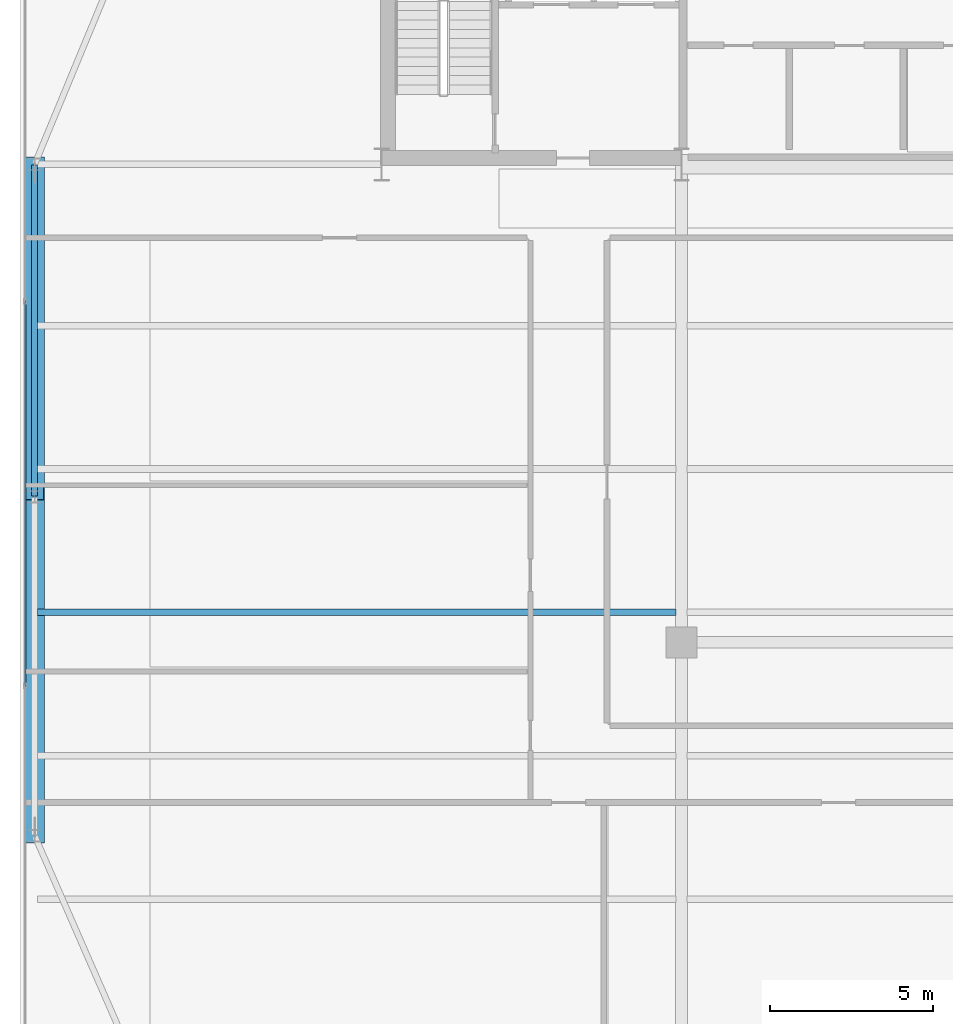
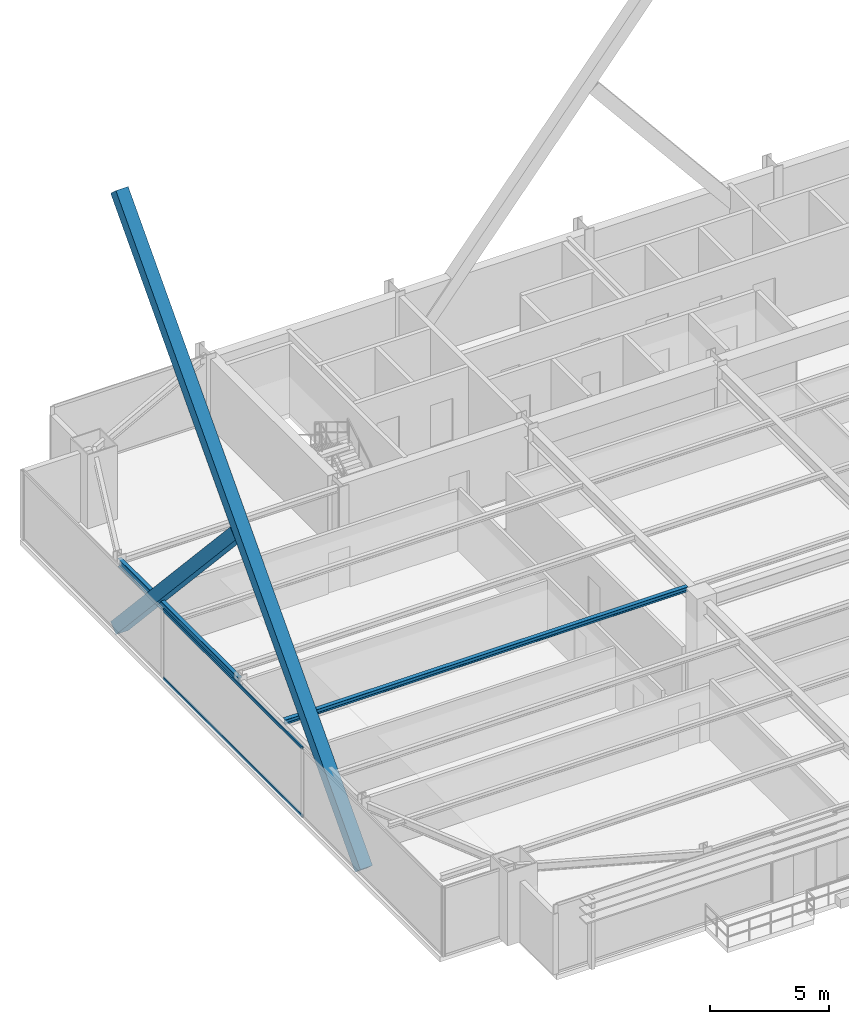
# One storey, part 11 of 38: 4 members, 2 beams, 1 element without a shape of its own.
"""IFC4 building model written with IfcOpenShell, lengths in metres."""

import ifcopenshell
import ifcopenshell.guid

model = None  # the IFC model being written
_history = None  # IfcOwnerHistory: only IFC2X3 demands one
_inside = {}  # id of a spatial element -> (the spatial element, [elements in it])
_under = {}  # id of a project, library or spatial element -> (it, [spatial elements below it])
_declared = {}  # id of a project -> (the project, [libraries it declares])
_typed = {}  # id of a type object -> (the type object, [elements of that type])
_made_of = {}  # id of a material, layer set ... -> (it, [elements and type objects made of it])


def new_model(schema):
    """Start an empty IFC model of exactly this schema.

    Asked for "IFC4X3", IfcOpenShell would pick the latest addendum, in which some entities
    have other attributes; the version numbers below select the first issue.
    IFC2X3 requires an IfcOwnerHistory on every rooted entity: one is made here for all.
    """
    global model, _history
    if schema == "IFC4X3":
        model = ifcopenshell.file(schema_version=(4, 3, 0, 0))
    else:
        model = ifcopenshell.file(schema=schema)
    _inside.clear()
    _under.clear()
    _declared.clear()
    _typed.clear()
    _made_of.clear()
    _history = None
    if model.schema == "IFC2X3":
        org = make("IfcOrganization", Name="unknown")
        user = make(
            "IfcPersonAndOrganization",
            ThePerson=make("IfcPerson", FamilyName="unknown"),
            TheOrganization=org,
        )
        app = make(
            "IfcApplication",
            ApplicationDeveloper=org,
            Version="unknown",
            ApplicationFullName="unknown",
            ApplicationIdentifier="unknown",
        )
        _history = make(
            "IfcOwnerHistory",
            OwningUser=user,
            OwningApplication=app,
            ChangeAction="ADDED",
            CreationDate=0,
        )
    return model


def make(cls, **values):
    """One entity of the class cls with the attributes given. An attribute that is None is left unset."""
    return model.create_entity(
        cls, **{name: value for name, value in values.items() if value is not None}
    )


def rooted(cls, **values):
    """An entity with a GlobalId (a new one), such as an element, a storey or a relation."""
    return make(cls, GlobalId=ifcopenshell.guid.new(), OwnerHistory=_history, **values)


def si_unit(unit_type, name, prefix=None):
    """IfcSIUnit, for example si_unit("LENGTHUNIT", "METRE", prefix="MILLI")."""
    return make("IfcSIUnit", UnitType=unit_type, Prefix=prefix, Name=name)


def assignment(units):
    """IfcUnitAssignment: the units of a project."""
    return None if units is None else make("IfcUnitAssignment", Units=units)


def point(xyz):
    """IfcCartesianPoint."""
    return None if xyz is None else make("IfcCartesianPoint", Coordinates=xyz)


def direction(xyz):
    """IfcDirection."""
    return None if xyz is None else make("IfcDirection", DirectionRatios=xyz)


def frame(location, z_axis=None, x_axis=None):
    """IfcAxis2Placement3D, a coordinate frame: its origin and axes. An axis left out is left unset."""
    return make(
        "IfcAxis2Placement3D",
        Location=point(location),
        Axis=direction(z_axis),
        RefDirection=direction(x_axis),
    )


def frame_2d(location, x_axis=None):
    """IfcAxis2Placement2D, a coordinate frame in the plane: its origin and x axis."""
    return make(
        "IfcAxis2Placement2D", Location=point(location), RefDirection=direction(x_axis)
    )


def origin():
    """The frame at (0, 0, 0) with its axes left unset."""
    return frame((0.0, 0.0, 0.0))


def origin_2d():
    """The frame at (0, 0) in the plane with its x axis left unset."""
    return frame_2d((0.0, 0.0))


def place(relative_to, where):
    """IfcLocalPlacement: puts the frame where relative to a parent placement (None: the world)."""
    return make(
        "IfcLocalPlacement", PlacementRelTo=relative_to, RelativePlacement=where
    )


def context(
    kind, dimensions, precision=None, world=None, true_north=None, identifier=None
):
    """IfcGeometricRepresentationContext, for example the 3D "Model" context."""
    return make(
        "IfcGeometricRepresentationContext",
        ContextIdentifier=identifier,
        ContextType=kind,
        CoordinateSpaceDimension=dimensions,
        Precision=precision,
        WorldCoordinateSystem=world,
        TrueNorth=true_north,
    )


def subcontext(parent, identifier, kind, view, scale=None):
    """IfcGeometricRepresentationSubContext, for example "Body" below "Model"."""
    return make(
        "IfcGeometricRepresentationSubContext",
        ContextIdentifier=identifier,
        ContextType=kind,
        ParentContext=parent,
        TargetScale=scale,
        TargetView=view,
    )


def project(units=None, contexts=None):
    """IfcProject with its units and contexts."""
    return rooted(
        "IfcProject",
        Name="project",
        RepresentationContexts=contexts,
        UnitsInContext=assignment(units),
    )


def spatial(cls, under=None, at=None, **own):
    """A site, building, storey or space (cls), placed at a placement, below another one or the project."""
    s = rooted(cls, ObjectPlacement=at, **own)
    if under is not None:
        _under.setdefault(under.id(), (under, []))[1].append(s)
    return s


def profile(cls, at=None, kind="AREA", **sizes):
    """A parametric profile (cls). Its sizes go by their IFC names, for example OverallWidth=200.0."""
    return make(cls, ProfileType=kind, Position=at, **sizes)


def hollow_rectangle(**sizes):
    """IfcRectangleHollowProfileDef."""
    return profile("IfcRectangleHollowProfileDef", **sizes)


def i_section(**sizes):
    """IfcIShapeProfileDef."""
    return profile("IfcIShapeProfileDef", **sizes)


def extrude(swept, where, along, depth):
    """IfcExtrudedAreaSolid: the profile swept, set in the frame where, extruded along a direction by depth."""
    return make(
        "IfcExtrudedAreaSolid",
        SweptArea=swept,
        Position=where,
        ExtrudedDirection=direction(along),
        Depth=depth,
    )


def shape(context_of_items, identifier, shape_type, items):
    """IfcShapeRepresentation: the items that make up one representation, for example the "Body"."""
    return make(
        "IfcShapeRepresentation",
        ContextOfItems=context_of_items,
        RepresentationIdentifier=identifier,
        RepresentationType=shape_type,
        Items=items,
    )


def source(mapping_origin, context_of_items, identifier, shape_type, items):
    """IfcRepresentationMap: a shape defined once, which mapped items show again and again."""
    return make(
        "IfcRepresentationMap",
        MappingOrigin=mapping_origin,
        MappedRepresentation=shape(context_of_items, identifier, shape_type, items),
    )


def transform(
    local_origin,
    x_axis=None,
    y_axis=None,
    z_axis=None,
    scale=None,
    scale2=None,
    scale3=None,
    uniform=True,
):
    """IfcCartesianTransformationOperator3D, or its non-uniform kind. x_axis, y_axis, z_axis: its Axis1, 2, 3."""
    if uniform:
        return make(
            "IfcCartesianTransformationOperator3D",
            Axis1=direction(x_axis),
            Axis2=direction(y_axis),
            LocalOrigin=point(local_origin),
            Scale=scale,
            Axis3=direction(z_axis),
        )
    return make(
        "IfcCartesianTransformationOperator3DnonUniform",
        Axis1=direction(x_axis),
        Axis2=direction(y_axis),
        LocalOrigin=point(local_origin),
        Scale=scale,
        Axis3=direction(z_axis),
        Scale2=scale2,
        Scale3=scale3,
    )


def mapped(mapping_source, mapping_target):
    """IfcMappedItem: shows the shape of a source again, moved by a transform."""
    return make(
        "IfcMappedItem", MappingSource=mapping_source, MappingTarget=mapping_target
    )


def material(Name=None, Category=None):
    """IfcMaterial."""
    return make("IfcMaterial", Name=Name, Category=Category)


def layer(
    of_material, thickness, ventilated=None, Name=None, Category=None, Priority=None
):
    """IfcMaterialLayer: one layer of a wall or slab, of a material (None: an air gap)."""
    return make(
        "IfcMaterialLayer",
        Material=of_material,
        LayerThickness=thickness,
        IsVentilated=ventilated,
        Name=Name,
        Category=Category,
        Priority=Priority,
    )


def layer_set(layers, Name=None):
    """IfcMaterialLayerSet."""
    return make("IfcMaterialLayerSet", MaterialLayers=layers, LayerSetName=Name)


def material_profile(
    of_material, cross_section, Name=None, Category=None, Priority=None
):
    """IfcMaterialProfile: a cross section and its material."""
    return make(
        "IfcMaterialProfile",
        Name=Name,
        Material=of_material,
        Profile=cross_section,
        Priority=Priority,
        Category=Category,
    )


def profile_set(profiles, Name=None, composite=None):
    """IfcMaterialProfileSet."""
    return make(
        "IfcMaterialProfileSet",
        Name=Name,
        MaterialProfiles=profiles,
        CompositeProfile=composite,
    )


def made_of(thing, what):
    """Note that an element or type object is made of a material, layer set ...; save() writes the relation."""
    if what is not None:
        _made_of.setdefault(what.id(), (what, []))[1].append(thing)
    return thing


def type_object(cls, material=None, **own):
    """A type object (cls), such as IfcWallType, which elements share."""
    return made_of(rooted(cls, **own), material)


def type_shapes(of_type, sources):
    """Give a type object the sources (RepresentationMaps) that its elements show as mapped items."""
    of_type.RepresentationMaps = sources


def element(
    cls,
    number,
    at=None,
    inside=None,
    cuts=None,
    type_object=None,
    material=None,
    context=None,
    identifier="Body",
    shape_type=None,
    held_by="IfcProductDefinitionShape",
    body=None,
    shapes=None,
    **own,
):
    """One element of the class cls, such as IfcWall. Its Tag is "e" and its number.

    at: its placement. inside: the storey or other place that contains it. cuts: it is an
    opening in that element (IfcRelVoidsElement). A single representation is given by context,
    identifier, shape_type and body (its items); several are given by shapes. held_by: the class
    of the entity that holds the representations. save() writes the other relations.
    """
    e = rooted(cls, Tag="e%d" % number, ObjectPlacement=at, **own)
    if body is not None:
        shapes = [shape(context, identifier, shape_type, body)]
    if shapes is not None:
        e.Representation = make(held_by, Representations=shapes)
    if inside is not None:
        _inside.setdefault(inside.id(), (inside, []))[1].append(e)
    if cuts is not None:
        rooted(
            "IfcRelVoidsElement", RelatingBuildingElement=cuts, RelatedOpeningElement=e
        )
    if type_object is not None:
        _typed.setdefault(type_object.id(), (type_object, []))[1].append(e)
    return made_of(e, material)


def aggregate(whole, parts):
    """IfcRelAggregates: a whole, such as a stair, and the parts it consists of."""
    return rooted("IfcRelAggregates", RelatingObject=whole, RelatedObjects=parts)


def save(model, path):
    """Write the relations noted so far, then the file.

    IfcRelAggregates (storeys below a building ...), IfcRelContainedInSpatialStructure (elements
    in a storey), IfcRelDefinesByType, IfcRelAssociatesMaterial and IfcRelDeclares: one each for
    every whole, place, type object, material and project.
    """
    for whole, parts in _under.values():
        aggregate(whole, parts)
    for where, things in _inside.values():
        rooted(
            "IfcRelContainedInSpatialStructure",
            RelatedElements=things,
            RelatingStructure=where,
        )
    for kind, things in _typed.values():
        rooted("IfcRelDefinesByType", RelatedObjects=things, RelatingType=kind)
    for what, things in _made_of.values():
        rooted("IfcRelAssociatesMaterial", RelatedObjects=things, RelatingMaterial=what)
    for by, libraries in _declared.values():
        rooted("IfcRelDeclares", RelatingContext=by, RelatedDefinitions=libraries)
    model.write(path)


model = new_model("IFC4")

# Units and contexts
model_context = context("Model", 3, precision=1e-05, world=origin(), true_north=direction((0.0, 1.0)))
body_context = subcontext(model_context, "Body", "Model", "MODEL_VIEW")
ifc_project = project(units=[si_unit("LENGTHUNIT", "METRE"), si_unit("AREAUNIT", "SQUARE_METRE"), si_unit("VOLUMEUNIT", "CUBIC_METRE"), si_unit("PLANEANGLEUNIT", "RADIAN"), si_unit("MASSUNIT", "GRAM", prefix="KILO")], contexts=[model_context])

# Site, building, storey
site_placement = place(None, origin())
site = spatial("IfcSite", under=ifc_project, at=site_placement, CompositionType="ELEMENT")
building_placement = place(site_placement, origin())
building = spatial("IfcBuilding", under=site, at=building_placement, Name="Varnel Quay Broadcast Tower", CompositionType="ELEMENT")
storey_placement = place(building_placement, frame((0.0, 0.0, 118.199951171875)))
storey = spatial("IfcBuildingStorey", under=building, at=storey_placement, Name="L28", CompositionType="ELEMENT", Elevation=118.199951171875)

# Beams
ifc_material_1 = material(Name="Structural Steel CSA G40.21 350W", Category="steel")
ifc_material_profile_1 = material_profile(ifc_material_1, i_section(OverallWidth=0.180908203125, OverallDepth=0.4169921875, WebThickness=0.010986328125, FlangeThickness=0.018310546875, FilletRadius=0.011962890625, at=origin_2d()), Name="W410X85")
ifc_profile_set_1 = profile_set([ifc_material_profile_1], Name="Structural Steel CSA G40.21 350W")
beam_type_1 = type_object("IfcBeamType", Name="Beam_W410X85", PredefinedType="SPANDREL", material=ifc_profile_set_1)
shared_shape_1 = source(origin(), body_context, "Body", "SweptSolid", [
    extrude(i_section(OverallWidth=0.180908203125, OverallDepth=0.4169921875, WebThickness=0.010986328125, FlangeThickness=0.018310546875, FilletRadius=0.011962890625, at=origin_2d()), origin(), (0.0, 0.0, 1.0), 10.16015625),
])
type_shapes(beam_type_1, [shared_shape_1])
beam_1_placement = place(storey_placement, frame((4.949951171875, 25.419921875, 3.341552734375), z_axis=(0.0, 1.0, 0.0), x_axis=(-1.0, 0.0, 0.0)))
element("IfcBeam", 1, at=beam_1_placement, inside=storey, type_object=beam_type_1, Name="L28 West Spandrel TC-W2-TC-W3", PredefinedType="SPANDREL", context=body_context, shape_type="MappedRepresentation", body=[
    mapped(shared_shape_1, transform((0.0, 0.0, 0.0), x_axis=(1.0, 0.0, 0.0), y_axis=(0.0, 1.0, 0.0), z_axis=(0.0, 0.0, 1.0), scale=1.0)),
])
ifc_material_profile_2 = material_profile(ifc_material_1, i_section(OverallWidth=0.201904296875, OverallDepth=0.2470703125, WebThickness=0.00732421875, FlangeThickness=0.010986328125, FilletRadius=0.010986328125, at=origin_2d()), Name="W250X49")
ifc_profile_set_2 = profile_set([ifc_material_profile_2], Name="Structural Steel CSA G40.21 350W")
beam_type_2 = type_object("IfcBeamType", Name="Beam_W250X49", PredefinedType="JOIST", material=ifc_profile_set_2)
shared_shape_2 = source(origin(), body_context, "Body", "SweptSolid", [
    extrude(i_section(OverallWidth=0.201904296875, OverallDepth=0.2470703125, WebThickness=0.00732421875, FlangeThickness=0.010986328125, FilletRadius=0.010986328125, at=origin_2d()), origin(), (0.0, 0.0, 1.0), 19.592041015625),
])
type_shapes(beam_type_2, [shared_shape_2])
beam_2_placement = place(storey_placement, frame((5.035400390625, 21.85009765625, 3.426513671875), z_axis=(1.0, 0.0, 0.0), x_axis=(0.0, 1.0, 0.0)))
element("IfcBeam", 2, at=beam_2_placement, inside=storey, type_object=beam_type_2, Name="L28 West Floor Joist 4", PredefinedType="JOIST", context=body_context, shape_type="MappedRepresentation", body=[
    mapped(shared_shape_2, transform((0.0, 0.0, 0.0), x_axis=(1.0, 0.0, 0.0), y_axis=(0.0, 1.0, 0.0), z_axis=(0.0, 0.0, 1.0), scale=1.0)),
])

# Members
ifc_material_2 = material(Name="Structural Steel CSA G40.21 350WT", Category="steel")
ifc_material_profile_3 = material_profile(ifc_material_2, hollow_rectangle(XDim=0.60009765625, YDim=0.60009765625, WallThickness=0.028076171875, at=origin_2d()), Name="BOX600X600X28")
ifc_profile_set_3 = profile_set([ifc_material_profile_3], Name="Structural Steel CSA G40.21 350WT")
member_type_1 = type_object("IfcMemberType", Name="Brace_BOX600X600X28", PredefinedType="BRACE", material=ifc_profile_set_3)
shared_shape_3 = source(origin(), body_context, "Body", "SweptSolid", [
    extrude(hollow_rectangle(XDim=0.60009765625, YDim=0.60009765625, WallThickness=0.028076171875, at=origin_2d()), origin(), (0.0, 0.0, 1.0), 30.461669921875),
])
member_1_placement = place(storey_placement, frame((4.949951171875, 15.0, 0.02001953125), z_axis=(0.0, 0.676262308998, 0.736660905321), x_axis=(-1.0, 0.0, 0.0)))
element("IfcMember", 3, at=member_1_placement, inside=storey, type_object=member_type_1, Name="Zone 2 Mega-Brace W-FT3 Continuous Diag A", PredefinedType="BRACE", context=body_context, shape_type="MappedRepresentation", body=[
    mapped(shared_shape_3, transform((0.0, 0.0, 0.0), x_axis=(1.0, 0.0, 0.0), y_axis=(0.0, 1.0, 0.0), z_axis=(0.0, 0.0, 1.0), scale=1.0)),
])
shared_shape_4 = source(origin(), body_context, "Body", "SweptSolid", [
    extrude(hollow_rectangle(XDim=0.60009765625, YDim=0.60009765625, WallThickness=0.028076171875, at=origin_2d()), origin(), (0.0, 0.0, 1.0), 14.90478515625),
])
type_shapes(member_type_1, [shared_shape_3, shared_shape_4])
member_2_placement = place(storey_placement, frame((4.949951171875, 35.60009765625, 0.02001953125), z_axis=(0.0, -0.676265172552, 0.736658276539), x_axis=(1.0, 0.0, 0.0)))
element("IfcMember", 4, at=member_2_placement, inside=storey, type_object=member_type_1, Name="Zone 2 Mega-Brace W-FT3 Split Diag B1", PredefinedType="BRACE", context=body_context, shape_type="MappedRepresentation", body=[
    mapped(shared_shape_4, transform((0.0, 0.0, 0.0), x_axis=(1.0, 0.0, 0.0), y_axis=(0.0, 1.0, 0.0), z_axis=(0.0, 0.0, 1.0), scale=1.0)),
])

# Curtain wall, members
ifc_material_3 = material(Name="Anodised Bronze Aluminium 6063-T6", Category="aluminium")
ifc_layer = layer(ifc_material_3, 0.18994140625, Name="Anodised Bronze Aluminium 6063-T6")
ifc_layer_set = layer_set([ifc_layer], Name="Anodised Bronze Aluminium 6063-T6")
curtain_wall_type = type_object("IfcCurtainWallType", Name="CW_LowerTower", PredefinedType="NOTDEFINED", material=ifc_layer_set)
curtain_wall_placement = place(storey_placement, origin())
curtain_wall = element("IfcCurtainWall", 5, at=curtain_wall_placement, inside=storey, type_object=curtain_wall_type, Name="L28 West Unitised Curtain Wall", PredefinedType="NOTDEFINED")
ifc_material_profile_4 = material_profile(ifc_material_3, hollow_rectangle(XDim=0.06005859375, YDim=0.14501953125, WallThickness=0.00341796875, at=origin_2d()), Name="ALU60X145X3.5")
ifc_profile_set_4 = profile_set([ifc_material_profile_4], Name="Anodised Bronze Aluminium 6063-T6")
member_type_2 = type_object("IfcMemberType", Name="Tran_CWS-02", PredefinedType="USERDEFINED", material=ifc_profile_set_4)
shared_shape_5 = source(origin(), body_context, "Body", "SweptSolid", [
    extrude(hollow_rectangle(XDim=0.06005859375, YDim=0.14501953125, WallThickness=0.00341796875, at=origin_2d()), origin(), (0.0, 0.0, 1.0), 11.72998046875),
])
type_shapes(member_type_2, [shared_shape_5])
member_3_placement = place(storey_placement, frame((4.64990234375, 19.635009765625, 0.030029296875), z_axis=(0.0, 1.0, 0.0), x_axis=(-1.0, 0.0, 0.0)))
member_3 = element("IfcMember", 6, at=member_3_placement, type_object=member_type_2, Name="CWS-02 transom 2.1", ObjectType="TRANSOM", PredefinedType="USERDEFINED", context=body_context, shape_type="MappedRepresentation", body=[
    mapped(shared_shape_5, transform((0.0, 0.0, 0.0), x_axis=(1.0, 0.0, 0.0), y_axis=(0.0, 1.0, 0.0), z_axis=(0.0, 0.0, 1.0), scale=1.0)),
])
member_4_placement = place(storey_placement, frame((4.64990234375, 19.635009765625, 3.52001953125), z_axis=(0.0, 1.0, 0.0), x_axis=(-1.0, 0.0, 0.0)))
member_4 = element("IfcMember", 7, at=member_4_placement, type_object=member_type_2, Name="CWS-02 transom 2.2", ObjectType="TRANSOM", PredefinedType="USERDEFINED", context=body_context, shape_type="MappedRepresentation", body=[
    mapped(shared_shape_5, transform((0.0, 0.0, 0.0), x_axis=(1.0, 0.0, 0.0), y_axis=(0.0, 1.0, 0.0), z_axis=(0.0, 0.0, 1.0), scale=1.0)),
])
aggregate(curtain_wall, [member_3, member_4])

save(model, "model.ifc")
